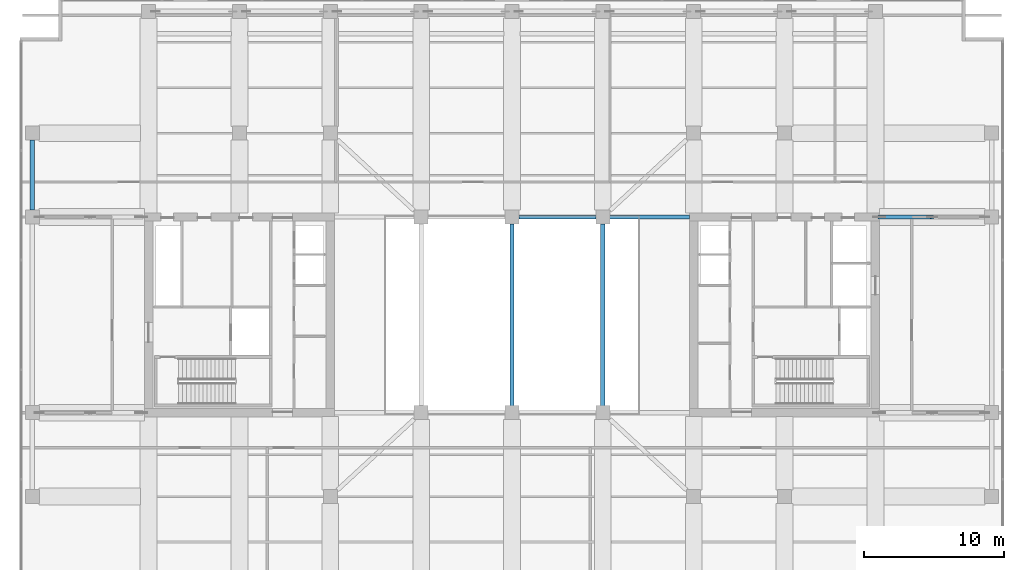
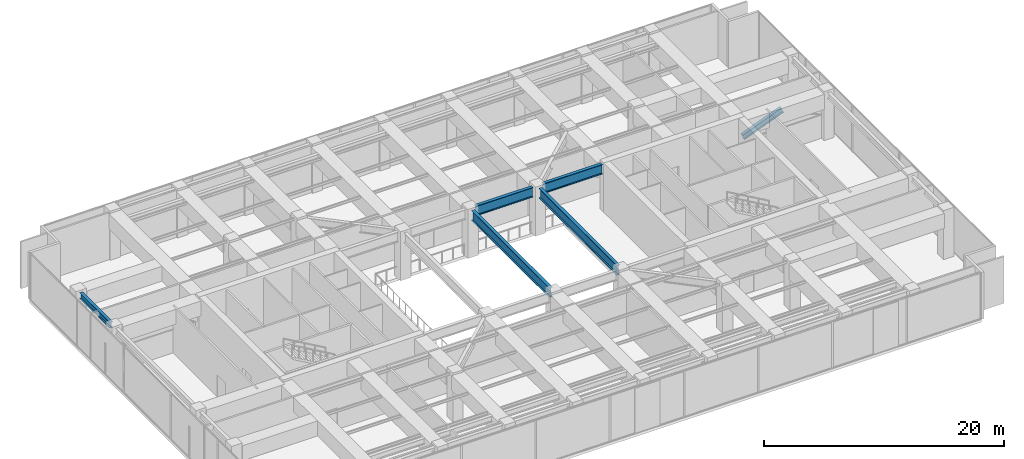
# One storey, part 7 of 28: 5 beams, 1 member.
"""IFC4 building model written with IfcOpenShell, lengths in metres."""

import ifcopenshell
import ifcopenshell.guid

model = None  # the IFC model being written
_history = None  # IfcOwnerHistory: only IFC2X3 demands one
_inside = {}  # id of a spatial element -> (the spatial element, [elements in it])
_under = {}  # id of a project, library or spatial element -> (it, [spatial elements below it])
_declared = {}  # id of a project -> (the project, [libraries it declares])
_typed = {}  # id of a type object -> (the type object, [elements of that type])
_made_of = {}  # id of a material, layer set ... -> (it, [elements and type objects made of it])


def new_model(schema):
    """Start an empty IFC model of exactly this schema.

    Asked for "IFC4X3", IfcOpenShell would pick the latest addendum, in which some entities
    have other attributes; the version numbers below select the first issue.
    IFC2X3 requires an IfcOwnerHistory on every rooted entity: one is made here for all.
    """
    global model, _history
    if schema == "IFC4X3":
        model = ifcopenshell.file(schema_version=(4, 3, 0, 0))
    else:
        model = ifcopenshell.file(schema=schema)
    _inside.clear()
    _under.clear()
    _declared.clear()
    _typed.clear()
    _made_of.clear()
    _history = None
    if model.schema == "IFC2X3":
        org = make("IfcOrganization", Name="unknown")
        user = make(
            "IfcPersonAndOrganization",
            ThePerson=make("IfcPerson", FamilyName="unknown"),
            TheOrganization=org,
        )
        app = make(
            "IfcApplication",
            ApplicationDeveloper=org,
            Version="unknown",
            ApplicationFullName="unknown",
            ApplicationIdentifier="unknown",
        )
        _history = make(
            "IfcOwnerHistory",
            OwningUser=user,
            OwningApplication=app,
            ChangeAction="ADDED",
            CreationDate=0,
        )
    return model


def make(cls, **values):
    """One entity of the class cls with the attributes given. An attribute that is None is left unset."""
    return model.create_entity(
        cls, **{name: value for name, value in values.items() if value is not None}
    )


def rooted(cls, **values):
    """An entity with a GlobalId (a new one), such as an element, a storey or a relation."""
    return make(cls, GlobalId=ifcopenshell.guid.new(), OwnerHistory=_history, **values)


def si_unit(unit_type, name, prefix=None):
    """IfcSIUnit, for example si_unit("LENGTHUNIT", "METRE", prefix="MILLI")."""
    return make("IfcSIUnit", UnitType=unit_type, Prefix=prefix, Name=name)


def assignment(units):
    """IfcUnitAssignment: the units of a project."""
    return None if units is None else make("IfcUnitAssignment", Units=units)


def point(xyz):
    """IfcCartesianPoint."""
    return None if xyz is None else make("IfcCartesianPoint", Coordinates=xyz)


def direction(xyz):
    """IfcDirection."""
    return None if xyz is None else make("IfcDirection", DirectionRatios=xyz)


def frame(location, z_axis=None, x_axis=None):
    """IfcAxis2Placement3D, a coordinate frame: its origin and axes. An axis left out is left unset."""
    return make(
        "IfcAxis2Placement3D",
        Location=point(location),
        Axis=direction(z_axis),
        RefDirection=direction(x_axis),
    )


def frame_2d(location, x_axis=None):
    """IfcAxis2Placement2D, a coordinate frame in the plane: its origin and x axis."""
    return make(
        "IfcAxis2Placement2D", Location=point(location), RefDirection=direction(x_axis)
    )


def origin():
    """The frame at (0, 0, 0) with its axes left unset."""
    return frame((0.0, 0.0, 0.0))


def origin_2d():
    """The frame at (0, 0) in the plane with its x axis left unset."""
    return frame_2d((0.0, 0.0))


def place(relative_to, where):
    """IfcLocalPlacement: puts the frame where relative to a parent placement (None: the world)."""
    return make(
        "IfcLocalPlacement", PlacementRelTo=relative_to, RelativePlacement=where
    )


def context(
    kind, dimensions, precision=None, world=None, true_north=None, identifier=None
):
    """IfcGeometricRepresentationContext, for example the 3D "Model" context."""
    return make(
        "IfcGeometricRepresentationContext",
        ContextIdentifier=identifier,
        ContextType=kind,
        CoordinateSpaceDimension=dimensions,
        Precision=precision,
        WorldCoordinateSystem=world,
        TrueNorth=true_north,
    )


def subcontext(parent, identifier, kind, view, scale=None):
    """IfcGeometricRepresentationSubContext, for example "Body" below "Model"."""
    return make(
        "IfcGeometricRepresentationSubContext",
        ContextIdentifier=identifier,
        ContextType=kind,
        ParentContext=parent,
        TargetScale=scale,
        TargetView=view,
    )


def project(units=None, contexts=None):
    """IfcProject with its units and contexts."""
    return rooted(
        "IfcProject",
        Name="project",
        RepresentationContexts=contexts,
        UnitsInContext=assignment(units),
    )


def spatial(cls, under=None, at=None, **own):
    """A site, building, storey or space (cls), placed at a placement, below another one or the project."""
    s = rooted(cls, ObjectPlacement=at, **own)
    if under is not None:
        _under.setdefault(under.id(), (under, []))[1].append(s)
    return s


def profile(cls, at=None, kind="AREA", **sizes):
    """A parametric profile (cls). Its sizes go by their IFC names, for example OverallWidth=200.0."""
    return make(cls, ProfileType=kind, Position=at, **sizes)


def i_section(**sizes):
    """IfcIShapeProfileDef."""
    return profile("IfcIShapeProfileDef", **sizes)


def extrude(swept, where, along, depth):
    """IfcExtrudedAreaSolid: the profile swept, set in the frame where, extruded along a direction by depth."""
    return make(
        "IfcExtrudedAreaSolid",
        SweptArea=swept,
        Position=where,
        ExtrudedDirection=direction(along),
        Depth=depth,
    )


def shape(context_of_items, identifier, shape_type, items):
    """IfcShapeRepresentation: the items that make up one representation, for example the "Body"."""
    return make(
        "IfcShapeRepresentation",
        ContextOfItems=context_of_items,
        RepresentationIdentifier=identifier,
        RepresentationType=shape_type,
        Items=items,
    )


def material(Name=None, Category=None):
    """IfcMaterial."""
    return make("IfcMaterial", Name=Name, Category=Category)


def material_profile(
    of_material, cross_section, Name=None, Category=None, Priority=None
):
    """IfcMaterialProfile: a cross section and its material."""
    return make(
        "IfcMaterialProfile",
        Name=Name,
        Material=of_material,
        Profile=cross_section,
        Priority=Priority,
        Category=Category,
    )


def profile_set(profiles, Name=None, composite=None):
    """IfcMaterialProfileSet."""
    return make(
        "IfcMaterialProfileSet",
        Name=Name,
        MaterialProfiles=profiles,
        CompositeProfile=composite,
    )


def made_of(thing, what):
    """Note that an element or type object is made of a material, layer set ...; save() writes the relation."""
    if what is not None:
        _made_of.setdefault(what.id(), (what, []))[1].append(thing)
    return thing


def type_object(cls, material=None, **own):
    """A type object (cls), such as IfcWallType, which elements share."""
    return made_of(rooted(cls, **own), material)


def element(
    cls,
    number,
    at=None,
    inside=None,
    cuts=None,
    type_object=None,
    material=None,
    context=None,
    identifier="Body",
    shape_type=None,
    held_by="IfcProductDefinitionShape",
    body=None,
    shapes=None,
    **own,
):
    """One element of the class cls, such as IfcWall. Its Tag is "e" and its number.

    at: its placement. inside: the storey or other place that contains it. cuts: it is an
    opening in that element (IfcRelVoidsElement). A single representation is given by context,
    identifier, shape_type and body (its items); several are given by shapes. held_by: the class
    of the entity that holds the representations. save() writes the other relations.
    """
    e = rooted(cls, Tag="e%d" % number, ObjectPlacement=at, **own)
    if body is not None:
        shapes = [shape(context, identifier, shape_type, body)]
    if shapes is not None:
        e.Representation = make(held_by, Representations=shapes)
    if inside is not None:
        _inside.setdefault(inside.id(), (inside, []))[1].append(e)
    if cuts is not None:
        rooted(
            "IfcRelVoidsElement", RelatingBuildingElement=cuts, RelatedOpeningElement=e
        )
    if type_object is not None:
        _typed.setdefault(type_object.id(), (type_object, []))[1].append(e)
    return made_of(e, material)


def aggregate(whole, parts):
    """IfcRelAggregates: a whole, such as a stair, and the parts it consists of."""
    return rooted("IfcRelAggregates", RelatingObject=whole, RelatedObjects=parts)


def save(model, path):
    """Write the relations noted so far, then the file.

    IfcRelAggregates (storeys below a building ...), IfcRelContainedInSpatialStructure (elements
    in a storey), IfcRelDefinesByType, IfcRelAssociatesMaterial and IfcRelDeclares: one each for
    every whole, place, type object, material and project.
    """
    for whole, parts in _under.values():
        aggregate(whole, parts)
    for where, things in _inside.values():
        rooted(
            "IfcRelContainedInSpatialStructure",
            RelatedElements=things,
            RelatingStructure=where,
        )
    for kind, things in _typed.values():
        rooted("IfcRelDefinesByType", RelatedObjects=things, RelatingType=kind)
    for what, things in _made_of.values():
        rooted("IfcRelAssociatesMaterial", RelatedObjects=things, RelatingMaterial=what)
    for by, libraries in _declared.values():
        rooted("IfcRelDeclares", RelatingContext=by, RelatedDefinitions=libraries)
    model.write(path)


model = new_model("IFC4")

# Units and contexts
model_context = context("Model", 3, precision=1e-05, world=origin(), true_north=direction((0.0, 1.0)))
body_context = subcontext(model_context, "Body", "Model", "MODEL_VIEW")
ifc_project = project(units=[si_unit("LENGTHUNIT", "METRE"), si_unit("AREAUNIT", "SQUARE_METRE"), si_unit("VOLUMEUNIT", "CUBIC_METRE"), si_unit("PLANEANGLEUNIT", "RADIAN"), si_unit("MASSUNIT", "GRAM", prefix="KILO")], contexts=[model_context])

# Site, building, storey
site_placement = place(None, origin())
site = spatial("IfcSite", under=ifc_project, at=site_placement, CompositionType="ELEMENT")
building_placement = place(site_placement, origin())
building = spatial("IfcBuilding", under=site, at=building_placement, Name="Putna Gate Headquarters", CompositionType="ELEMENT")
storey_placement = place(building_placement, frame((0.0, 0.0, 197.39990234375)))
storey = spatial("IfcBuildingStorey", under=building, at=storey_placement, Name="L49", CompositionType="ELEMENT", Elevation=197.39990234375)

# Beams
ifc_material_1 = material(Name="Steel S355J2", Category="steel")
ifc_material_profile_1 = material_profile(ifc_material_1, i_section(OverallWidth=0.300048828125, OverallDepth=0.590087890625, WebThickness=0.012939453125, FlangeThickness=0.02490234375, at=origin_2d()), Name="Steel S355J2")
ifc_profile_set_1 = profile_set([ifc_material_profile_1], Name="Steel S355J2")
beam_type_1 = type_object("IfcBeamType", Name="BM-SPAN-Z4-HEA600", PredefinedType="SPANDREL", material=ifc_profile_set_1)
beam_1_placement = place(storey_placement, frame((4.679931640625, 33.488037109375, 4.485107421875), z_axis=(0.0, 1.0, 0.0), x_axis=(-1.0, 0.0, 0.0)))
element("IfcBeam", 1, at=beam_1_placement, inside=storey, type_object=beam_type_1, Name="L49 W End Spandrel 3", PredefinedType="SPANDREL", context=body_context, shape_type="SweptSolid", body=[
    extrude(i_section(OverallWidth=0.300048828125, OverallDepth=0.590087890625, WebThickness=0.012939453125, FlangeThickness=0.02490234375, at=origin_2d()), origin(), (0.0, 0.0, 1.0), 5.02392578125),
])
ifc_material_2 = material(Name="Steel S460M", Category="steel")
ifc_material_profile_2 = material_profile(ifc_material_2, i_section(OverallWidth=0.302001953125, OverallDepth=1.008056640625, WebThickness=0.02099609375, FlangeThickness=0.0400390625, at=origin_2d()), Name="Steel S460M")
ifc_profile_set_2 = profile_set([ifc_material_profile_2], Name="Steel S460M")
beam_type_2 = type_object("IfcBeamType", Name="BM-TG-HEM1000", PredefinedType="USERDEFINED", material=ifc_profile_set_2)
beam_2_placement = place(storey_placement, frame((39.488037109375, 33.0, 4.276123046875), z_axis=(1.0, 0.0, 0.0), x_axis=(0.0, 1.0, 0.0)))
element("IfcBeam", 2, at=beam_2_placement, inside=storey, type_object=beam_type_2, Name="L49 Atrium Edge Beam AN3", ObjectType="GIRDER", PredefinedType="USERDEFINED", context=body_context, shape_type="SweptSolid", body=[
    extrude(i_section(OverallWidth=0.302001953125, OverallDepth=1.008056640625, WebThickness=0.02099609375, FlangeThickness=0.0400390625, at=origin_2d()), origin(), (0.0, 0.0, 1.0), 5.52392578125),
])
beam_3_placement = place(storey_placement, frame((45.988037109375, 33.0, 4.276123046875), z_axis=(1.0, 0.0, 0.0), x_axis=(0.0, 1.0, 0.0)))
element("IfcBeam", 3, at=beam_3_placement, inside=storey, type_object=beam_type_2, Name="L49 Atrium Edge Beam AN4", ObjectType="GIRDER", PredefinedType="USERDEFINED", context=body_context, shape_type="SweptSolid", body=[
    extrude(i_section(OverallWidth=0.302001953125, OverallDepth=1.008056640625, WebThickness=0.02099609375, FlangeThickness=0.0400390625, at=origin_2d()), origin(), (0.0, 0.0, 1.0), 5.72705078125),
])
for number, where, z_axis, x_axis, name in (
    (4, (39.0, 19.488037109375, 4.276123046875), (0.0, 1.0, 0.0), (-1.0, 0.0, 0.0), "L49 Plant Floor Central Tie Girder X39"),
    (5, (45.5, 19.488037109375, 4.276123046875), (0.0, 1.0, 0.0), (-1.0, 0.0, 0.0), "L49 Plant Floor Central Tie Girder X45"),
):
    element("IfcBeam", number, at=place(storey_placement, frame(where, z_axis=z_axis, x_axis=x_axis)), inside=storey, type_object=beam_type_2, Name=name, ObjectType="GIRDER", PredefinedType="USERDEFINED", context=body_context, shape_type="SweptSolid", body=[
        extrude(i_section(OverallWidth=0.302001953125, OverallDepth=1.008056640625, WebThickness=0.02099609375, FlangeThickness=0.0400390625, at=origin_2d()), origin(), (0.0, 0.0, 1.0), 13.02392578125),
    ])

# Member
ifc_material_profile_3 = material_profile(ifc_material_2, i_section(OverallWidth=0.305908203125, OverallDepth=0.572021484375, WebThickness=0.02099609375, FlangeThickness=0.0400390625, at=origin_2d()), Name="Steel S460M")
ifc_profile_set_3 = profile_set([ifc_material_profile_3], Name="Steel S460M")
member_type = type_object("IfcMemberType", Name="MEM-OUTRIGGER-DIAG-HEM550", PredefinedType="BRACE", material=ifc_profile_set_3)
member_placement = place(storey_placement, frame((65.284912109375, 33.0, 2.75), z_axis=(0.931012516557, 0.0, 0.364987251851), x_axis=(0.0, 1.0, 0.0)))
element("IfcMember", 6, at=member_placement, inside=storey, type_object=member_type, Name="L49 Outrigger Truss Brace EN-1", PredefinedType="BRACE", context=body_context, shape_type="SweptSolid", body=[
    extrude(i_section(OverallWidth=0.305908203125, OverallDepth=0.572021484375, WebThickness=0.02099609375, FlangeThickness=0.0400390625, at=origin_2d()), origin(), (0.0, 0.0, 1.0), 4.054931640625),
])

save(model, "model.ifc")
